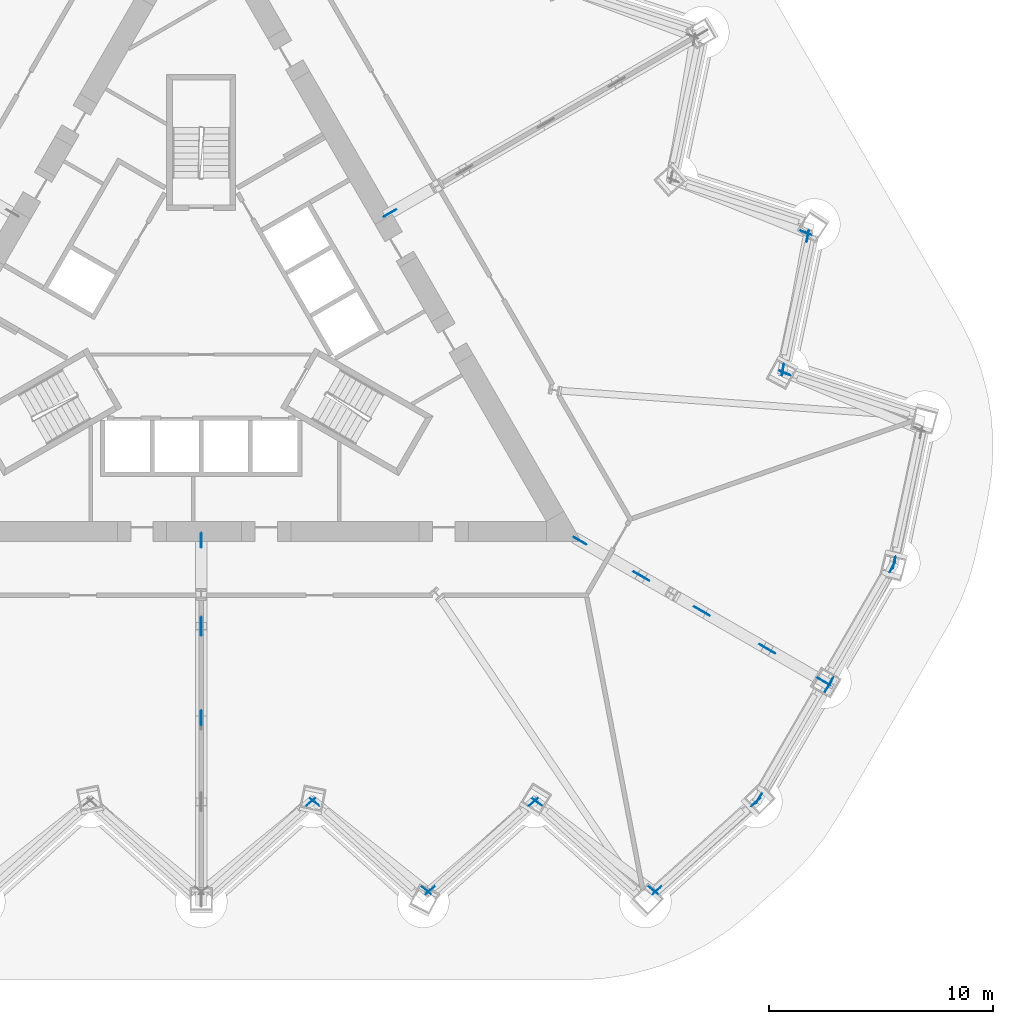
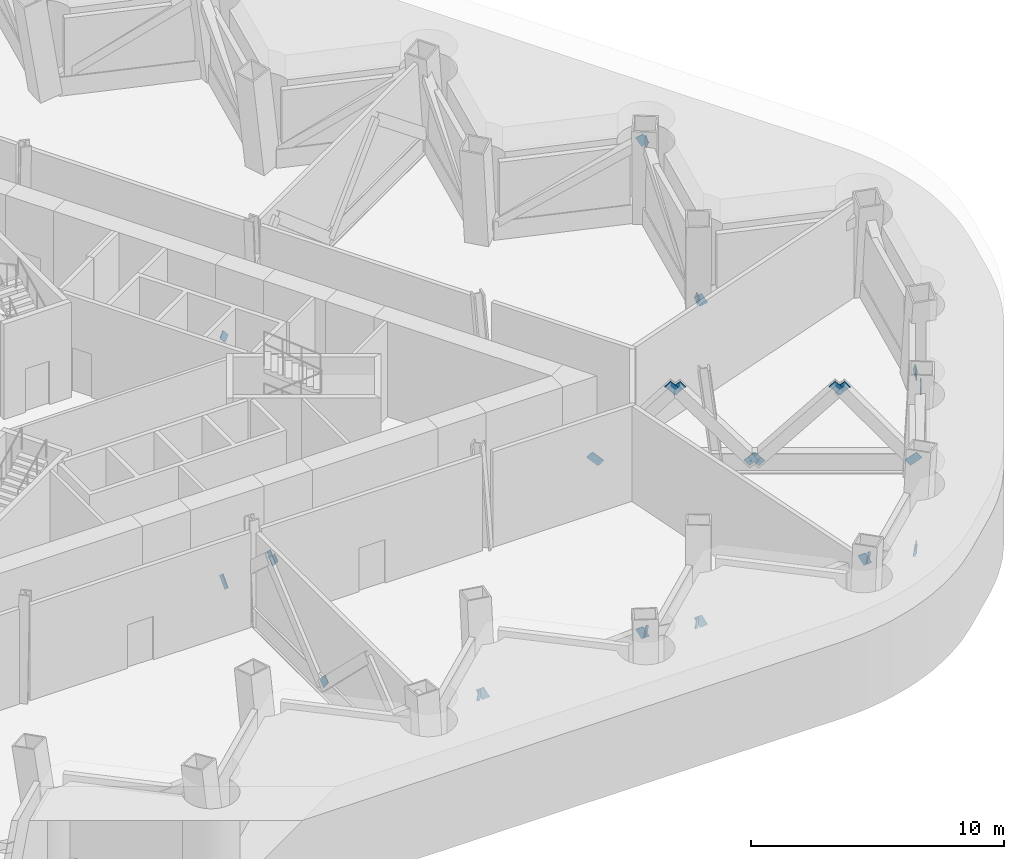
# One storey, part 9 of 14: 31 discrete accessories.
"""IFC4 building model written with IfcOpenShell, lengths in metres."""

from ifc_helpers import new_model, si_unit, direction, frame, origin, origin_2d, place, context, subcontext, project, spatial, rectangle, extrude, material, material_profile, profile_set, type_object, element, save


model = new_model("IFC4")

# Units and contexts
model_context = context("Model", 3, precision=1e-05, world=origin(), true_north=direction((0.0, 1.0)))
body_context = subcontext(model_context, "Body", "Model", "MODEL_VIEW")
ifc_project = project(units=[si_unit("LENGTHUNIT", "METRE"), si_unit("AREAUNIT", "SQUARE_METRE"), si_unit("VOLUMEUNIT", "CUBIC_METRE"), si_unit("PLANEANGLEUNIT", "RADIAN"), si_unit("MASSUNIT", "GRAM", prefix="KILO")], contexts=[model_context])

# Site, building, storey
site_placement = place(None, origin())
site = spatial("IfcSite", under=ifc_project, at=site_placement, CompositionType="ELEMENT")
building_placement = place(site_placement, origin())
building = spatial("IfcBuilding", under=site, at=building_placement, Name="Cormorant Prow Tower", CompositionType="ELEMENT")
storey_placement = place(building_placement, frame((0.0, 0.0, 94.60009765625)))
storey = spatial("IfcBuildingStorey", under=building, at=storey_placement, Name="L19", CompositionType="ELEMENT", Elevation=94.60009765625)

# Discrete accessories
ifc_material_1 = material(Name="Structural steel ASTM A500 Gr C", Category="steel")
ifc_material_profile_1 = material_profile(ifc_material_1, rectangle(XDim=0.031982421875, YDim=0.506103515625, at=origin_2d()), Name="Gusset plate 32x506")
ifc_profile_set_1 = profile_set([ifc_material_profile_1], Name="Structural steel ASTM A500 Gr C")
discrete_accessory_type_1 = type_object("IfcDiscreteAccessoryType", Name="Gusset plate 32x506", PredefinedType="BRACKET", material=ifc_profile_set_1)
discrete_accessory_1_placement = place(storey_placement, frame((4.777099609375, -21.566162109375, 0.599365234375), z_axis=(0.670237839428, 0.55027851749, -0.497970673623), x_axis=(-0.63455074639, 0.77288120061, 0.0)))
element("IfcDiscreteAccessory", 1, at=discrete_accessory_1_placement, inside=storey, type_object=discrete_accessory_type_1, Name="Gusset plate GP2 L19.S05.g0", PredefinedType="BRACKET", context=body_context, shape_type="SweptSolid", body=[
    extrude(rectangle(XDim=0.031982421875, YDim=0.506103515625, at=origin_2d()), origin(), (0.0, 0.0, 1.0), 0.35009765625),
])
for number, where, z_axis, x_axis, name in (
    (2, (5.183349609375, -21.563232421875, 0.5966796875), (-0.684428173387, 0.540705233817, -0.48907660504), (-0.619903600088, -0.784677976369, 0.0), "Gusset plate GP2 L19.S06.g0"),
    (3, (9.948974609375, -25.327392578125, 4.003173828125), (0.684428173387, -0.540705233817, 0.48907660504), (0.619903600088, 0.784677976369, 0.0), "Gusset plate GP2 L19.S06.g1"),
):
    element("IfcDiscreteAccessory", number, at=place(storey_placement, frame(where, z_axis=z_axis, x_axis=x_axis)), inside=storey, type_object=discrete_accessory_type_1, Name=name, PredefinedType="BRACKET", context=body_context, shape_type="SweptSolid", body=[
        extrude(rectangle(XDim=0.031982421875, YDim=0.506103515625, at=origin_2d()), origin(), (0.0, 0.0, 1.0), 0.349853515625),
    ])
for number, where, z_axis, x_axis, name in (
    (4, (14.73779296875, -21.5693359375, 0.60205078125), (0.654762363938, 0.560627199794, -0.506935291356), (-0.650391569401, 0.759599109039, 0.0), "Gusset plate GP2 L19.S07.g0"),
    (5, (10.350830078125, -25.321533203125, 3.997802734375), (-0.655018317052, -0.560148784444, 0.507133457398), (0.649924447193, -0.759998824302, 0.0), "Gusset plate GP2 L19.S07.g1"),
    (6, (15.143798828125, -21.560546875, 0.593994140625), (-0.69787605641, 0.53125030468, -0.48035624662), (-0.605707869726, -0.795687109706, 0.0), "Gusset plate GP2 L19.S08.g0"),
):
    element("IfcDiscreteAccessory", number, at=place(storey_placement, frame(where, z_axis=z_axis, x_axis=x_axis)), inside=storey, type_object=discrete_accessory_type_1, Name=name, PredefinedType="BRACKET", context=body_context, shape_type="SweptSolid", body=[
        extrude(rectangle(XDim=0.031982421875, YDim=0.506103515625, at=origin_2d()), origin(), (0.0, 0.0, 1.0), 0.35009765625),
    ])
discrete_accessory_2_placement = place(storey_placement, frame((20.099365234375, -25.330322265625, 4.005859375), z_axis=(0.698010764156, -0.531186191523, 0.480231405739), x_axis=(0.605587569691, 0.795778672393, 0.0)))
element("IfcDiscreteAccessory", 7, at=discrete_accessory_2_placement, inside=storey, type_object=discrete_accessory_type_1, Name="Gusset plate GP2 L19.S08.g1", PredefinedType="BRACKET", context=body_context, shape_type="SweptSolid", body=[
    extrude(rectangle(XDim=0.031982421875, YDim=0.506103515625, at=origin_2d()), origin(), (0.0, 0.0, 1.0), 0.349853515625),
])
discrete_accessory_3_placement = place(storey_placement, frame((24.698974609375, -21.572265625, 0.604736328125), z_axis=(0.638862145068, 0.570512264919, -0.516111339902), x_axis=(-0.666080493051, 0.745879867524, 0.0)))
element("IfcDiscreteAccessory", 8, at=discrete_accessory_3_placement, inside=storey, type_object=discrete_accessory_type_1, Name="Gusset plate GP2 L19.S09.g0", PredefinedType="BRACKET", context=body_context, shape_type="SweptSolid", body=[
    extrude(rectangle(XDim=0.031982421875, YDim=0.506103515625, at=origin_2d()), origin(), (0.0, 0.0, 1.0), 0.35009765625),
])
discrete_accessory_4_placement = place(storey_placement, frame((20.50048828125, -25.318603515625, 3.9951171875), z_axis=(-0.639116346169, -0.570041544563, 0.51631669887), x_axis=(0.665627110774, -0.74628449629, 0.0)))
element("IfcDiscreteAccessory", 9, at=discrete_accessory_4_placement, inside=storey, type_object=discrete_accessory_type_1, Name="Gusset plate GP2 L19.S09.g1", PredefinedType="BRACKET", context=body_context, shape_type="SweptSolid", body=[
    extrude(rectangle(XDim=0.031982421875, YDim=0.506103515625, at=origin_2d()), origin(), (0.0, 0.0, 1.0), 0.349853515625),
])
for number, where, z_axis, x_axis, name in (
    (10, (25.025634765625, -21.18310546875, 0.605712890625), (-0.449740713724, -0.726557866202, -0.519467956162), (0.850282536603, -0.526326522178, 0.0), "Gusset plate GP2 L19.ESE00.g0"),
    (11, (27.962158203125, -16.43994140625, 3.994140625), (0.449903593726, 0.726820999477, 0.518958563926), (-0.850282536603, 0.526326522178, 0.0), "Gusset plate GP2 L19.ESE00.g1"),
):
    element("IfcDiscreteAccessory", number, at=place(storey_placement, frame(where, z_axis=z_axis, x_axis=x_axis)), inside=storey, type_object=discrete_accessory_type_1, Name=name, PredefinedType="BRACKET", context=body_context, shape_type="SweptSolid", body=[
        extrude(rectangle(XDim=0.031982421875, YDim=0.506103515625, at=origin_2d()), origin(), (0.0, 0.0, 1.0), 0.35009765625),
    ])
discrete_accessory_5_placement = place(storey_placement, frame((30.85791015625, -11.081298828125, 0.605712890625), z_axis=(0.404318649577, 0.752869209558, -0.519340334371), x_axis=(-0.880994429299, 0.473126637957, 0.0)))
element("IfcDiscreteAccessory", 12, at=discrete_accessory_5_placement, inside=storey, type_object=discrete_accessory_type_1, Name="Gusset plate GP2 L19.ESE01.g0", PredefinedType="BRACKET", context=body_context, shape_type="SweptSolid", body=[
    extrude(rectangle(XDim=0.031982421875, YDim=0.506103515625, at=origin_2d()), origin(), (0.0, 0.0, 1.0), 0.350341796875),
])
for number, where, z_axis, x_axis, name in (
    (13, (28.218505859375, -15.99609375, 3.994140625), (-0.404677503798, -0.752839701031, 0.519103556596), (0.880811630838, -0.473466863657, 0.0), "Gusset plate GP2 L19.ESE01.g1"),
    (14, (31.031494140625, -10.603759765625, 0.604736328125), (-0.174399100207, -0.838510873795, -0.516221336613), (0.979048129091, -0.203628978596, 0.0), "Gusset plate GP2 L19.ENE00.g0"),
    (15, (26.24365234375, -2.334716796875, 0.593994140625), (-0.808653154313, 0.339090106123, -0.480726508474), (-0.386704847506, -0.922203535514, 0.0), "Gusset plate GP2 L19.ENE01.g0"),
):
    element("IfcDiscreteAccessory", number, at=place(storey_placement, frame(where, z_axis=z_axis, x_axis=x_axis)), inside=storey, type_object=discrete_accessory_type_1, Name=name, PredefinedType="BRACKET", context=body_context, shape_type="SweptSolid", body=[
        extrude(rectangle(XDim=0.031982421875, YDim=0.506103515625, at=origin_2d()), origin(), (0.0, 0.0, 1.0), 0.349853515625),
    ])
discrete_accessory_6_placement = place(storey_placement, frame((26.04833984375, -1.978759765625, 0.60205078125), z_axis=(-0.157621276203, -0.847388719408, -0.507038353094), x_axis=(0.983136816535, -0.182871539537, 0.0)))
element("IfcDiscreteAccessory", 16, at=discrete_accessory_6_placement, inside=storey, type_object=discrete_accessory_type_1, Name="Gusset plate GP2 L19.ENE02.g0", PredefinedType="BRACKET", context=body_context, shape_type="SweptSolid", body=[
    extrude(rectangle(XDim=0.031982421875, YDim=0.506103515625, at=origin_2d()), origin(), (0.0, 0.0, 1.0), 0.35009765625),
])
discrete_accessory_7_placement = place(storey_placement, frame((27.1044921875, 3.69677734375, 3.997802734375), z_axis=(0.15771447498, 0.847191914271, 0.507338156239), x_axis=(-0.983109724078, 0.183017131501, 0.0)))
element("IfcDiscreteAccessory", 17, at=discrete_accessory_7_placement, inside=storey, type_object=discrete_accessory_type_1, Name="Gusset plate GP2 L19.ENE02.g1", PredefinedType="BRACKET", context=body_context, shape_type="SweptSolid", body=[
    extrude(rectangle(XDim=0.031982421875, YDim=0.506103515625, at=origin_2d()), origin(), (0.0, 0.0, 1.0), 0.349853515625),
])
discrete_accessory_8_placement = place(storey_placement, frame((26.90869140625, 4.047607421875, 4.003173828125), z_axis=(0.810570531344, -0.322275030534, 0.488993065811), x_axis=(0.369459572936, 0.929246804657, 0.0)))
element("IfcDiscreteAccessory", 18, at=discrete_accessory_8_placement, inside=storey, type_object=discrete_accessory_type_1, Name="Gusset plate GP2 L19.ENE03.g1", PredefinedType="BRACKET", context=body_context, shape_type="SweptSolid", body=[
    extrude(rectangle(XDim=0.031982421875, YDim=0.506103515625, at=origin_2d()), origin(), (0.0, 0.0, 1.0), 0.35009765625),
])
ifc_material_2 = material(Name="Structural steel ASTM A500 Gr C", Category="steel")
ifc_material_profile_2 = material_profile(ifc_material_2, rectangle(XDim=0.031982421875, YDim=0.60791015625, at=origin_2d()), Name="Gusset plate 32x608")
ifc_profile_set_2 = profile_set([ifc_material_profile_2], Name="Structural steel ASTM A500 Gr C")
discrete_accessory_type_2 = type_object("IfcDiscreteAccessoryType", Name="Gusset plate 32x608", PredefinedType="BRACKET", material=ifc_profile_set_2)
discrete_accessory_9_placement = place(storey_placement, frame((0.0, -9.88623046875, 0.70263671875), z_axis=(0.0, 0.737472632342, -0.675377018077), x_axis=(-1.0, 0.0, 0.0)))
element("IfcDiscreteAccessory", 19, at=discrete_accessory_9_placement, inside=storey, type_object=discrete_accessory_type_2, Name="Gusset plate GP1 L19.07.1.g0", PredefinedType="BRACKET", context=body_context, shape_type="SweptSolid", body=[
    extrude(rectangle(XDim=0.031982421875, YDim=0.60791015625, at=origin_2d()), origin(), (0.0, 0.0, 1.0), 0.349853515625),
])
discrete_accessory_10_placement = place(storey_placement, frame((0.0, -13.377197265625, 3.897216796875), z_axis=(0.0, -0.737790633235, 0.675029615285), x_axis=(1.0, 0.0, 0.0)))
element("IfcDiscreteAccessory", 20, at=discrete_accessory_10_placement, inside=storey, type_object=discrete_accessory_type_2, Name="Gusset plate GP1 L19.07.1.g1", PredefinedType="BRACKET", context=body_context, shape_type="SweptSolid", body=[
    extrude(rectangle(XDim=0.031982421875, YDim=0.60791015625, at=origin_2d()), origin(), (0.0, 0.0, 1.0), 0.35009765625),
])
discrete_accessory_11_placement = place(storey_placement, frame((0.0, -13.826171875, 3.904541015625), z_axis=(0.0, 0.759108832376, 0.650963732176), x_axis=(-1.0, 0.0, 0.0)))
element("IfcDiscreteAccessory", 21, at=discrete_accessory_11_placement, inside=storey, type_object=discrete_accessory_type_2, Name="Gusset plate GP1 L19.07.2.g0", PredefinedType="BRACKET", context=body_context, shape_type="SweptSolid", body=[
    extrude(rectangle(XDim=0.031982421875, YDim=0.60791015625, at=origin_2d()), origin(), (0.0, 0.0, 1.0), 0.349853515625),
])
for number, where, z_axis, x_axis, name in (
    (22, (0.0, -17.5703125, 0.6953125), (0.0, -0.759404255012, -0.650619072476), (1.0, 0.0, 0.0), "Gusset plate GP1 L19.07.2.g1"),
    (23, (17.044189453125, -9.840576171875, 0.72265625), (-0.580290506177, 0.335480448884, -0.742102281938), (-0.500502949238, -0.865734831114, 0.0), "Gusset plate GP1 L19.09.1.g0"),
):
    element("IfcDiscreteAccessory", number, at=place(storey_placement, frame(where, z_axis=z_axis, x_axis=x_axis)), inside=storey, type_object=discrete_accessory_type_2, Name=name, PredefinedType="BRACKET", context=body_context, shape_type="SweptSolid", body=[
        extrude(rectangle(XDim=0.031982421875, YDim=0.60791015625, at=origin_2d()), origin(), (0.0, 0.0, 1.0), 0.35009765625),
    ])
for number, where, z_axis, x_axis, name in (
    (24, (19.511962890625, -11.265380859375, 3.877197265625), (0.580426192301, -0.334861264789, 0.742275803616), (0.49972245349, 0.866185586049, 0.0), "Gusset plate GP1 L19.09.1.g1"),
    (25, (19.8564453125, -11.464111328125, 3.873291015625), (-0.567938000706, 0.327924889842, 0.754924959169), (-0.500029427677, -0.866008413041, 0.0), "Gusset plate GP1 L19.09.2.g0"),
    (26, (22.22216796875, -12.830078125, 0.7265625), (0.567938000706, -0.327924889842, -0.754924959169), (0.500029427677, 0.866008413041, 0.0), "Gusset plate GP1 L19.09.2.g1"),
    (27, (22.5703125, -13.031005859375, 0.71875), (-0.592544597385, 0.341986870104, -0.729339345426), (-0.499869636591, -0.866100656052, 0.0), "Gusset plate GP1 L19.09.3.g0"),
):
    element("IfcDiscreteAccessory", number, at=place(storey_placement, frame(where, z_axis=z_axis, x_axis=x_axis)), inside=storey, type_object=discrete_accessory_type_2, Name=name, PredefinedType="BRACKET", context=body_context, shape_type="SweptSolid", body=[
        extrude(rectangle(XDim=0.031982421875, YDim=0.60791015625, at=origin_2d()), origin(), (0.0, 0.0, 1.0), 0.349853515625),
    ])
for number, where, z_axis, x_axis, name in (
    (28, (25.140625, -14.514892578125, 3.881103515625), (0.592855683139, -0.342461341672, 0.728863751623), (0.500192733363, 0.865914100527, 0.0), "Gusset plate GP1 L19.09.3.g1"),
    (29, (25.484619140625, -14.713623046875, 3.869140625), (-0.553808405979, 0.320148688091, 0.768635848097), (-0.500477410743, -0.865749595054, 0.0), "Gusset plate GP1 L19.09.4.g0"),
):
    element("IfcDiscreteAccessory", number, at=place(storey_placement, frame(where, z_axis=z_axis, x_axis=x_axis)), inside=storey, type_object=discrete_accessory_type_2, Name=name, PredefinedType="BRACKET", context=body_context, shape_type="SweptSolid", body=[
        extrude(rectangle(XDim=0.031982421875, YDim=0.60791015625, at=origin_2d()), origin(), (0.0, 0.0, 1.0), 0.35009765625),
    ])
discrete_accessory_12_placement = place(storey_placement, frame((27.748779296875, -16.020751953125, 0.73046875), z_axis=(0.55458873383, -0.320196514249, -0.768053076663), x_axis=(0.500005339912, 0.866022320763, 0.0)))
element("IfcDiscreteAccessory", 30, at=discrete_accessory_12_placement, inside=storey, type_object=discrete_accessory_type_2, Name="Gusset plate GP1 L19.09.4.g1", PredefinedType="BRACKET", context=body_context, shape_type="SweptSolid", body=[
    extrude(rectangle(XDim=0.031982421875, YDim=0.60791015625, at=origin_2d()), origin(), (0.0, 0.0, 1.0), 0.349853515625),
])
discrete_accessory_13_placement = place(storey_placement, frame((8.561767578125, 4.943115234375, 0.70263671875), z_axis=(-0.638840237342, -0.368937211304, -0.675106277017), x_axis=(0.500104332946, -0.86596515875, 0.0)))
element("IfcDiscreteAccessory", 31, at=discrete_accessory_13_placement, inside=storey, type_object=discrete_accessory_type_2, Name="Gusset plate GP1 L19.11.1.g0", PredefinedType="BRACKET", context=body_context, shape_type="SweptSolid", body=[
    extrude(rectangle(XDim=0.031982421875, YDim=0.60791015625, at=origin_2d()), origin(), (0.0, 0.0, 1.0), 0.35009765625),
])

save(model, "model.ifc")
